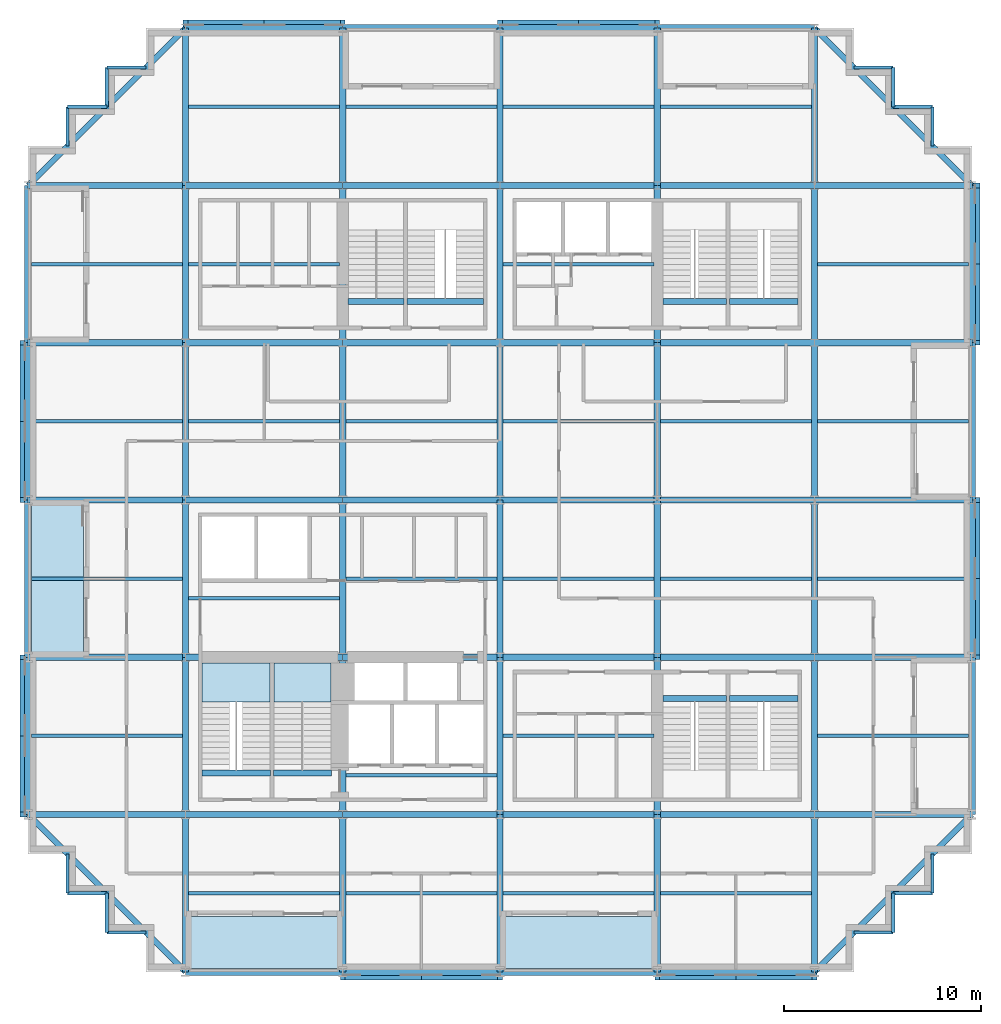
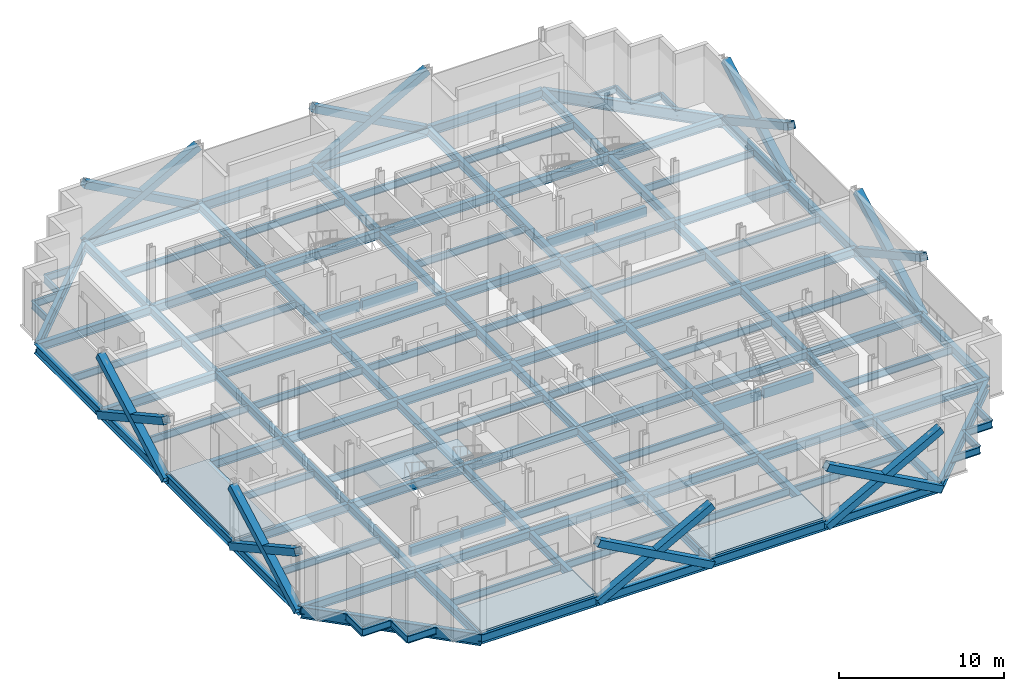
# One storey, part 3 of 12: 132 beams, 16 members, 5 slabs, 2 elements without a shape of their own.
"""IFC4 building model written with IfcOpenShell, lengths in metres."""

from ifc_helpers import new_model, si_unit, direction, frame, origin, origin_2d, place, context, subcontext, project, spatial, polyline, rectangle, hollow_rectangle, i_section, outline, extrude, material, layer, layer_set, material_profile, profile_set, type_object, element, aggregate, save


model = new_model("IFC4")

# Units and contexts
model_context = context("Model", 3, precision=1e-05, world=origin(), true_north=direction((0.0, 1.0)))
body_context = subcontext(model_context, "Body", "Model", "MODEL_VIEW")
ifc_project = project(units=[si_unit("LENGTHUNIT", "METRE"), si_unit("AREAUNIT", "SQUARE_METRE"), si_unit("VOLUMEUNIT", "CUBIC_METRE"), si_unit("PLANEANGLEUNIT", "RADIAN"), si_unit("MASSUNIT", "GRAM", prefix="KILO")], contexts=[model_context])

# Site, building, storey
site_placement = place(None, origin())
site = spatial("IfcSite", under=ifc_project, at=site_placement, CompositionType="ELEMENT")
building_placement = place(site_placement, origin())
building = spatial("IfcBuilding", under=site, at=building_placement, Name="Immortelle Media Tower", CompositionType="ELEMENT")
storey_placement = place(building_placement, frame((0.0, 0.0, 52.39990234375)))
storey = spatial("IfcBuildingStorey", under=building, at=storey_placement, Name="L08", CompositionType="ELEMENT", Elevation=52.39990234375)

# Members
ifc_material_1 = material(Name="Steel ASTM A500 Gr C", Category="steel")
ifc_material_profile_1 = material_profile(ifc_material_1, hollow_rectangle(XDim=0.508056640625, YDim=0.508056640625, WallThickness=0.011962890625, at=origin_2d()), Name="HSS20x20x1/2 brace")
ifc_profile_set_1 = profile_set([ifc_material_profile_1], Name="Steel ASTM A500 Gr C")
member_type = type_object("IfcMemberType", Name="HSS20x20x1/2 brace", PredefinedType="BRACE", material=ifc_profile_set_1)
for number, where, z_axis, x_axis, name in (
    (1, (-0.1640625, 32.0, -0.497802734375), (0.0, -0.876220425204, 0.481910537812), (1.0, 0.0, 0.0), "Brace 1/D-E A"),
    (2, (-0.1640625, 32.0, 3.902099609375), (0.0, -0.876220425204, -0.481910537812), (1.0, 0.0, 0.0), "Brace 1/D-E B"),
    (3, (-0.1640625, 16.0, -0.497802734375), (0.0, -0.876220425204, 0.481910537812), (1.0, 0.0, 0.0), "Brace 1/B-C A"),
    (4, (-0.1640625, 16.0, 3.902099609375), (0.0, -0.876220425204, -0.481910537812), (1.0, 0.0, 0.0), "Brace 1/B-C B"),
    (5, (16.0, -0.1640625, -0.497802734375), (0.876220425204, 0.0, 0.481910537812), (0.0, 1.0, 0.0), "Brace A/3-4 A"),
    (6, (16.0, -0.1640625, 3.902099609375), (0.876220425204, 0.0, -0.481910537812), (0.0, 1.0, 0.0), "Brace A/3-4 B"),
    (7, (32.0, -0.1640625, -0.497802734375), (0.876220425204, 0.0, 0.481910537812), (0.0, 1.0, 0.0), "Brace A/5-6 A"),
    (8, (32.0, -0.1640625, 3.902099609375), (0.876220425204, 0.0, -0.481910537812), (0.0, 1.0, 0.0), "Brace A/5-6 B"),
    (9, (48.1640625, 16.0, -0.497802734375), (0.0, 0.876220425204, 0.481910537812), (-1.0, 0.0, 0.0), "Brace 7/C-D A"),
    (10, (48.1640625, 16.0, 3.902099609375), (0.0, 0.876220425204, -0.481910537812), (-1.0, 0.0, 0.0), "Brace 7/C-D B"),
    (11, (48.1640625, 32.0, -0.497802734375), (0.0, 0.876220425204, 0.481910537812), (-1.0, 0.0, 0.0), "Brace 7/E-F A"),
    (12, (48.1640625, 32.0, 3.902099609375), (0.0, 0.876220425204, -0.481910537812), (-1.0, 0.0, 0.0), "Brace 7/E-F B"),
    (13, (32.0, 48.1640625, -0.497802734375), (-0.876220425204, 0.0, 0.481910537812), (0.0, -1.0, 0.0), "Brace G/4-5 A"),
    (14, (32.0, 48.1640625, 3.902099609375), (-0.876220425204, 0.0, -0.481910537812), (0.0, -1.0, 0.0), "Brace G/4-5 B"),
    (15, (16.0, 48.1640625, -0.497802734375), (-0.876220425204, 0.0, 0.481910537812), (0.0, -1.0, 0.0), "Brace G/2-3 A"),
    (16, (16.0, 48.1640625, 3.902099609375), (-0.876220425204, 0.0, -0.481910537812), (0.0, -1.0, 0.0), "Brace G/2-3 B"),
):
    element("IfcMember", number, at=place(storey_placement, frame(where, z_axis=z_axis, x_axis=x_axis)), inside=storey, type_object=member_type, Name=name, PredefinedType="BRACE", context=body_context, shape_type="SweptSolid", body=[
        extrude(hollow_rectangle(XDim=0.508056640625, YDim=0.508056640625, WallThickness=0.011962890625, at=origin_2d()), origin(), (0.0, 0.0, 1.0), 9.130126953125),
    ])

# Beams
ifc_material_2 = material(Name="Concrete C50/60", Category="concrete")
ifc_material_profile_2 = material_profile(ifc_material_2, rectangle(XDim=0.300048828125, YDim=0.699951171875, at=origin_2d()), Name="RC 300x700")
ifc_profile_set_2 = profile_set([ifc_material_profile_2], Name="Concrete C50/60")
beam_type_1 = type_object("IfcBeamType", Name="Stair trimmer beam 300 x 700", PredefinedType="BEAM", material=ifc_profile_set_2)
beam_1_placement = place(storey_placement, frame((8.830078125, 10.10498046875, -0.5), z_axis=(1.0, 0.0, 0.0), x_axis=(0.0, 1.0, 0.0)))
element("IfcBeam", 17, at=beam_1_placement, inside=storey, type_object=beam_type_1, Name="Stair trimmer beam SW1", PredefinedType="BEAM", context=body_context, shape_type="SweptSolid", body=[
    extrude(rectangle(XDim=0.300048828125, YDim=0.699951171875, at=origin_2d()), origin(), (0.0, 0.0, 1.0), 3.489990234375),
])
beam_2_placement = place(storey_placement, frame((12.47998046875, 10.10498046875, -0.5), z_axis=(1.0, 0.0, 0.0), x_axis=(0.0, 1.0, 0.0)))
element("IfcBeam", 18, at=beam_2_placement, inside=storey, type_object=beam_type_1, Name="Stair trimmer beam SW2", PredefinedType="BEAM", context=body_context, shape_type="SweptSolid", body=[
    extrude(rectangle(XDim=0.300048828125, YDim=0.699951171875, at=origin_2d()), origin(), (0.0, 0.0, 1.0), 2.93994140625),
])
beam_3_placement = place(storey_placement, frame((32.280029296875, 13.89501953125, -0.5), z_axis=(1.0, 0.0, 0.0), x_axis=(0.0, 1.0, 0.0)))
element("IfcBeam", 19, at=beam_3_placement, inside=storey, type_object=beam_type_1, Name="Stair trimmer beam SE1", PredefinedType="BEAM", context=body_context, shape_type="SweptSolid", body=[
    extrude(rectangle(XDim=0.300048828125, YDim=0.699951171875, at=origin_2d()), origin(), (0.0, 0.0, 1.0), 3.239990234375),
])
beam_4_placement = place(storey_placement, frame((35.679931640625, 13.89501953125, -0.5), z_axis=(1.0, 0.0, 0.0), x_axis=(0.0, 1.0, 0.0)))
element("IfcBeam", 20, at=beam_4_placement, inside=storey, type_object=beam_type_1, Name="Stair trimmer beam SE2", PredefinedType="BEAM", context=body_context, shape_type="SweptSolid", body=[
    extrude(rectangle(XDim=0.300048828125, YDim=0.699951171875, at=origin_2d()), origin(), (0.0, 0.0, 1.0), 3.489990234375),
])
beam_5_placement = place(storey_placement, frame((16.280029296875, 34.10498046875, -0.5), z_axis=(1.0, 0.0, 0.0), x_axis=(0.0, 1.0, 0.0)))
element("IfcBeam", 21, at=beam_5_placement, inside=storey, type_object=beam_type_1, Name="Stair trimmer beam NW1", PredefinedType="BEAM", context=body_context, shape_type="SweptSolid", body=[
    extrude(rectangle(XDim=0.300048828125, YDim=0.699951171875, at=origin_2d()), origin(), (0.0, 0.0, 1.0), 2.840087890625),
])
beam_6_placement = place(storey_placement, frame((19.280029296875, 34.10498046875, -0.5), z_axis=(1.0, 0.0, 0.0), x_axis=(0.0, 1.0, 0.0)))
element("IfcBeam", 22, at=beam_6_placement, inside=storey, type_object=beam_type_1, Name="Stair trimmer beam NW2", PredefinedType="BEAM", context=body_context, shape_type="SweptSolid", body=[
    extrude(rectangle(XDim=0.300048828125, YDim=0.699951171875, at=origin_2d()), origin(), (0.0, 0.0, 1.0), 3.889892578125),
])
beam_7_placement = place(storey_placement, frame((32.280029296875, 34.10498046875, -0.5), z_axis=(1.0, 0.0, 0.0), x_axis=(0.0, 1.0, 0.0)))
element("IfcBeam", 23, at=beam_7_placement, inside=storey, type_object=beam_type_1, Name="Stair trimmer beam NE1", PredefinedType="BEAM", context=body_context, shape_type="SweptSolid", body=[
    extrude(rectangle(XDim=0.300048828125, YDim=0.699951171875, at=origin_2d()), origin(), (0.0, 0.0, 1.0), 3.239990234375),
])
beam_8_placement = place(storey_placement, frame((35.679931640625, 34.10498046875, -0.5), z_axis=(1.0, 0.0, 0.0), x_axis=(0.0, 1.0, 0.0)))
element("IfcBeam", 24, at=beam_8_placement, inside=storey, type_object=beam_type_1, Name="Stair trimmer beam NE2", PredefinedType="BEAM", context=body_context, shape_type="SweptSolid", body=[
    extrude(rectangle(XDim=0.300048828125, YDim=0.699951171875, at=origin_2d()), origin(), (0.0, 0.0, 1.0), 3.489990234375),
])
ifc_material_3 = material(Name="Steel ASTM A992 Gr 50", Category="steel")
ifc_material_profile_3 = material_profile(ifc_material_3, i_section(OverallWidth=0.1669921875, OverallDepth=0.535888671875, WebThickness=0.010009765625, FlangeThickness=0.01708984375, at=origin_2d()), Name="W21x57")
ifc_profile_set_3 = profile_set([ifc_material_profile_3], Name="Steel ASTM A992 Gr 50")
beam_type_2 = type_object("IfcBeamType", Name="W21x57 secondary beam", PredefinedType="JOIST", material=ifc_profile_set_3)
for number, where, z_axis, x_axis, name in (
    (25, (8.162109375, 4.0, -0.41796875), (1.0, 0.0, 0.0), (0.0, 1.0, 0.0), "Beam A-B/2-3"),
    (26, (16.162109375, 4.0, -0.41796875), (1.0, 0.0, 0.0), (0.0, 1.0, 0.0), "Beam A-B/3-4"),
    (27, (24.162109375, 4.0, -0.41796875), (1.0, 0.0, 0.0), (0.0, 1.0, 0.0), "Beam A-B/4-5"),
    (28, (32.162109375, 4.0, -0.41796875), (1.0, 0.0, 0.0), (0.0, 1.0, 0.0), "Beam A-B/5-6"),
):
    element("IfcBeam", number, at=place(storey_placement, frame(where, z_axis=z_axis, x_axis=x_axis)), inside=storey, type_object=beam_type_2, Name=name, PredefinedType="JOIST", context=body_context, shape_type="SweptSolid", body=[
        extrude(i_section(OverallWidth=0.1669921875, OverallDepth=0.535888671875, WebThickness=0.010009765625, FlangeThickness=0.01708984375, at=origin_2d()), origin(), (0.0, 0.0, 1.0), 7.67578125),
    ])
beam_9_placement = place(storey_placement, frame((0.177978515625, 12.0, -0.41796875), z_axis=(1.0, 0.0, 0.0), x_axis=(0.0, 1.0, 0.0)))
element("IfcBeam", 29, at=beam_9_placement, inside=storey, type_object=beam_type_2, Name="Beam B-C/1-2", PredefinedType="JOIST", context=body_context, shape_type="SweptSolid", body=[
    extrude(i_section(OverallWidth=0.1669921875, OverallDepth=0.535888671875, WebThickness=0.010009765625, FlangeThickness=0.01708984375, at=origin_2d()), origin(), (0.0, 0.0, 1.0), 7.659912109375),
])
for number, where, z_axis, x_axis, name in (
    (30, (16.162109375, 10.0, -0.41796875), (1.0, 0.0, 0.0), (0.0, 1.0, 0.0), "Beam B-C/3-4"),
    (31, (24.162109375, 12.0, -0.41796875), (1.0, 0.0, 0.0), (0.0, 1.0, 0.0), "Beam B-C/4-5"),
):
    element("IfcBeam", number, at=place(storey_placement, frame(where, z_axis=z_axis, x_axis=x_axis)), inside=storey, type_object=beam_type_2, Name=name, PredefinedType="JOIST", context=body_context, shape_type="SweptSolid", body=[
        extrude(i_section(OverallWidth=0.1669921875, OverallDepth=0.535888671875, WebThickness=0.010009765625, FlangeThickness=0.01708984375, at=origin_2d()), origin(), (0.0, 0.0, 1.0), 7.67578125),
    ])
for number, where, z_axis, x_axis, name in (
    (32, (40.162109375, 12.0, -0.41796875), (1.0, 0.0, 0.0), (0.0, 1.0, 0.0), "Beam B-C/6-7"),
    (33, (0.177978515625, 20.0, -0.41796875), (1.0, 0.0, 0.0), (0.0, 1.0, 0.0), "Beam C-D/1-2"),
):
    element("IfcBeam", number, at=place(storey_placement, frame(where, z_axis=z_axis, x_axis=x_axis)), inside=storey, type_object=beam_type_2, Name=name, PredefinedType="JOIST", context=body_context, shape_type="SweptSolid", body=[
        extrude(i_section(OverallWidth=0.1669921875, OverallDepth=0.535888671875, WebThickness=0.010009765625, FlangeThickness=0.01708984375, at=origin_2d()), origin(), (0.0, 0.0, 1.0), 7.659912109375),
    ])
for number, where, z_axis, x_axis, name in (
    (34, (8.162109375, 19.0, -0.41796875), (1.0, 0.0, 0.0), (0.0, 1.0, 0.0), "Beam C-D/2-3"),
    (35, (16.162109375, 20.0, -0.41796875), (1.0, 0.0, 0.0), (0.0, 1.0, 0.0), "Beam C-D/3-4"),
    (36, (24.162109375, 20.0, -0.41796875), (1.0, 0.0, 0.0), (0.0, 1.0, 0.0), "Beam C-D/4-5"),
    (37, (32.162109375, 20.0, -0.41796875), (1.0, 0.0, 0.0), (0.0, 1.0, 0.0), "Beam C-D/5-6"),
):
    element("IfcBeam", number, at=place(storey_placement, frame(where, z_axis=z_axis, x_axis=x_axis)), inside=storey, type_object=beam_type_2, Name=name, PredefinedType="JOIST", context=body_context, shape_type="SweptSolid", body=[
        extrude(i_section(OverallWidth=0.1669921875, OverallDepth=0.535888671875, WebThickness=0.010009765625, FlangeThickness=0.01708984375, at=origin_2d()), origin(), (0.0, 0.0, 1.0), 7.67578125),
    ])
for number, where, z_axis, x_axis, name in (
    (38, (40.162109375, 20.0, -0.41796875), (1.0, 0.0, 0.0), (0.0, 1.0, 0.0), "Beam C-D/6-7"),
    (39, (0.177978515625, 28.0, -0.41796875), (1.0, 0.0, 0.0), (0.0, 1.0, 0.0), "Beam D-E/1-2"),
):
    element("IfcBeam", number, at=place(storey_placement, frame(where, z_axis=z_axis, x_axis=x_axis)), inside=storey, type_object=beam_type_2, Name=name, PredefinedType="JOIST", context=body_context, shape_type="SweptSolid", body=[
        extrude(i_section(OverallWidth=0.1669921875, OverallDepth=0.535888671875, WebThickness=0.010009765625, FlangeThickness=0.01708984375, at=origin_2d()), origin(), (0.0, 0.0, 1.0), 7.659912109375),
    ])
for number, where, z_axis, x_axis, name in (
    (40, (8.162109375, 28.0, -0.41796875), (1.0, 0.0, 0.0), (0.0, 1.0, 0.0), "Beam D-E/2-3"),
    (41, (16.162109375, 28.0, -0.41796875), (1.0, 0.0, 0.0), (0.0, 1.0, 0.0), "Beam D-E/3-4"),
    (42, (24.162109375, 28.0, -0.41796875), (1.0, 0.0, 0.0), (0.0, 1.0, 0.0), "Beam D-E/4-5"),
    (43, (32.162109375, 28.0, -0.41796875), (1.0, 0.0, 0.0), (0.0, 1.0, 0.0), "Beam D-E/5-6"),
):
    element("IfcBeam", number, at=place(storey_placement, frame(where, z_axis=z_axis, x_axis=x_axis)), inside=storey, type_object=beam_type_2, Name=name, PredefinedType="JOIST", context=body_context, shape_type="SweptSolid", body=[
        extrude(i_section(OverallWidth=0.1669921875, OverallDepth=0.535888671875, WebThickness=0.010009765625, FlangeThickness=0.01708984375, at=origin_2d()), origin(), (0.0, 0.0, 1.0), 7.67578125),
    ])
for number, where, z_axis, x_axis, name in (
    (44, (40.162109375, 28.0, -0.41796875), (1.0, 0.0, 0.0), (0.0, 1.0, 0.0), "Beam D-E/6-7"),
    (45, (0.177978515625, 36.0, -0.41796875), (1.0, 0.0, 0.0), (0.0, 1.0, 0.0), "Beam E-F/1-2"),
):
    element("IfcBeam", number, at=place(storey_placement, frame(where, z_axis=z_axis, x_axis=x_axis)), inside=storey, type_object=beam_type_2, Name=name, PredefinedType="JOIST", context=body_context, shape_type="SweptSolid", body=[
        extrude(i_section(OverallWidth=0.1669921875, OverallDepth=0.535888671875, WebThickness=0.010009765625, FlangeThickness=0.01708984375, at=origin_2d()), origin(), (0.0, 0.0, 1.0), 7.659912109375),
    ])
for number, where, z_axis, x_axis, name in (
    (46, (8.162109375, 36.0, -0.41796875), (1.0, 0.0, 0.0), (0.0, 1.0, 0.0), "Beam E-F/2-3"),
    (47, (24.162109375, 36.0, -0.41796875), (1.0, 0.0, 0.0), (0.0, 1.0, 0.0), "Beam E-F/4-5"),
):
    element("IfcBeam", number, at=place(storey_placement, frame(where, z_axis=z_axis, x_axis=x_axis)), inside=storey, type_object=beam_type_2, Name=name, PredefinedType="JOIST", context=body_context, shape_type="SweptSolid", body=[
        extrude(i_section(OverallWidth=0.1669921875, OverallDepth=0.535888671875, WebThickness=0.010009765625, FlangeThickness=0.01708984375, at=origin_2d()), origin(), (0.0, 0.0, 1.0), 7.67578125),
    ])
beam_10_placement = place(storey_placement, frame((40.162109375, 36.0, -0.41796875), z_axis=(1.0, 0.0, 0.0), x_axis=(0.0, 1.0, 0.0)))
element("IfcBeam", 48, at=beam_10_placement, inside=storey, type_object=beam_type_2, Name="Beam E-F/6-7", PredefinedType="JOIST", context=body_context, shape_type="SweptSolid", body=[
    extrude(i_section(OverallWidth=0.1669921875, OverallDepth=0.535888671875, WebThickness=0.010009765625, FlangeThickness=0.01708984375, at=origin_2d()), origin(), (0.0, 0.0, 1.0), 7.659912109375),
])
for number, where, z_axis, x_axis, name in (
    (49, (8.162109375, 44.0, -0.41796875), (1.0, 0.0, 0.0), (0.0, 1.0, 0.0), "Beam F-G/2-3"),
    (50, (16.162109375, 44.0, -0.41796875), (1.0, 0.0, 0.0), (0.0, 1.0, 0.0), "Beam F-G/3-4"),
    (51, (24.162109375, 44.0, -0.41796875), (1.0, 0.0, 0.0), (0.0, 1.0, 0.0), "Beam F-G/4-5"),
    (52, (32.162109375, 44.0, -0.41796875), (1.0, 0.0, 0.0), (0.0, 1.0, 0.0), "Beam F-G/5-6"),
):
    element("IfcBeam", number, at=place(storey_placement, frame(where, z_axis=z_axis, x_axis=x_axis)), inside=storey, type_object=beam_type_2, Name=name, PredefinedType="JOIST", context=body_context, shape_type="SweptSolid", body=[
        extrude(i_section(OverallWidth=0.1669921875, OverallDepth=0.535888671875, WebThickness=0.010009765625, FlangeThickness=0.01708984375, at=origin_2d()), origin(), (0.0, 0.0, 1.0), 7.67578125),
    ])
ifc_material_profile_4 = material_profile(ifc_material_3, i_section(OverallWidth=0.1669921875, OverallDepth=0.535888671875, WebThickness=0.010009765625, FlangeThickness=0.01708984375, at=origin_2d()), Name="W21x57")
ifc_profile_set_4 = profile_set([ifc_material_profile_4], Name="Steel ASTM A992 Gr 50")
beam_type_3 = type_object("IfcBeamType", Name="W21x57 serration edge beam", PredefinedType="SPANDREL", material=ifc_profile_set_4)
for number, where, z_axis, x_axis, name in (
    (53, (6.0, 2.0, -0.41796875), (-1.0, 0.0, 0.0), (0.0, -1.0, 0.0), "Corner edge beam 1 at 1/A"),
    (54, (4.0, 2.0, -0.41796875), (0.0, 1.0, 0.0), (-1.0, 0.0, 0.0), "Corner edge beam 2 at 1/A"),
    (55, (4.0, 4.0, -0.41796875), (-1.0, 0.0, 0.0), (0.0, -1.0, 0.0), "Corner edge beam 3 at 1/A"),
    (56, (2.0, 4.0, -0.41796875), (0.0, 1.0, 0.0), (-1.0, 0.0, 0.0), "Corner edge beam 4 at 1/A"),
    (57, (2.0, 42.0, -0.41796875), (0.0, 1.0, 0.0), (-1.0, 0.0, 0.0), "Corner edge beam 1 at 1/G"),
    (58, (2.0, 44.0, -0.41796875), (1.0, 0.0, 0.0), (0.0, 1.0, 0.0), "Corner edge beam 2 at 1/G"),
    (59, (4.0, 44.0, -0.41796875), (0.0, 1.0, 0.0), (-1.0, 0.0, 0.0), "Corner edge beam 3 at 1/G"),
    (60, (4.0, 46.0, -0.41796875), (1.0, 0.0, 0.0), (0.0, 1.0, 0.0), "Corner edge beam 4 at 1/G"),
    (61, (46.0, 6.0, -0.41796875), (0.0, -1.0, 0.0), (1.0, 0.0, 0.0), "Corner edge beam 1 at 7/A"),
    (62, (46.0, 4.0, -0.41796875), (-1.0, 0.0, 0.0), (0.0, -1.0, 0.0), "Corner edge beam 2 at 7/A"),
    (63, (44.0, 4.0, -0.41796875), (0.0, -1.0, 0.0), (1.0, 0.0, 0.0), "Corner edge beam 3 at 7/A"),
    (64, (44.0, 2.0, -0.41796875), (-1.0, 0.0, 0.0), (0.0, -1.0, 0.0), "Corner edge beam 4 at 7/A"),
    (65, (42.0, 46.0, -0.41796875), (1.0, 0.0, 0.0), (0.0, 1.0, 0.0), "Corner edge beam 1 at 7/G"),
    (66, (44.0, 46.0, -0.41796875), (0.0, -1.0, 0.0), (1.0, 0.0, 0.0), "Corner edge beam 2 at 7/G"),
    (67, (44.0, 44.0, -0.41796875), (1.0, 0.0, 0.0), (0.0, 1.0, 0.0), "Corner edge beam 3 at 7/G"),
    (68, (46.0, 44.0, -0.41796875), (0.0, -1.0, 0.0), (1.0, 0.0, 0.0), "Corner edge beam 4 at 7/G"),
):
    element("IfcBeam", number, at=place(storey_placement, frame(where, z_axis=z_axis, x_axis=x_axis)), inside=storey, type_object=beam_type_3, Name=name, PredefinedType="SPANDREL", context=body_context, shape_type="SweptSolid", body=[
        extrude(i_section(OverallWidth=0.1669921875, OverallDepth=0.535888671875, WebThickness=0.010009765625, FlangeThickness=0.01708984375, at=origin_2d()), origin(), (0.0, 0.0, 1.0), 2.0),
    ])
ifc_material_profile_5 = material_profile(ifc_material_3, i_section(OverallWidth=0.323974609375, OverallDepth=0.612060546875, WebThickness=0.012939453125, FlangeThickness=0.01904296875, at=origin_2d()), Name="W24x104")
ifc_profile_set_5 = profile_set([ifc_material_profile_5], Name="Steel ASTM A992 Gr 50")
beam_type_4 = type_object("IfcBeamType", Name="W24x104 girder", PredefinedType="BEAM", material=ifc_profile_set_5)
for number, where, z_axis, x_axis, name in (
    (69, (0.0, 8.0, -0.455810546875), (1.0, 0.0, 0.0), (0.0, 1.0, 0.0), "Girder B/1-2"),
    (70, (0.0, 16.0, -0.455810546875), (1.0, 0.0, 0.0), (0.0, 1.0, 0.0), "Girder C/1-2"),
    (71, (0.0, 24.0, -0.455810546875), (1.0, 0.0, 0.0), (0.0, 1.0, 0.0), "Girder D/1-2"),
    (72, (0.0, 32.0, -0.455810546875), (1.0, 0.0, 0.0), (0.0, 1.0, 0.0), "Girder E/1-2"),
    (73, (0.0, 40.0, -0.455810546875), (1.0, 0.0, 0.0), (0.0, 1.0, 0.0), "Girder F/1-2"),
    (74, (8.0, 0.0, -0.455810546875), (0.0, 1.0, 0.0), (-1.0, 0.0, 0.0), "Girder 2/A-B"),
    (75, (8.0, 8.0, -0.455810546875), (1.0, 0.0, 0.0), (0.0, 1.0, 0.0), "Girder B/2-3"),
    (76, (8.0, 8.0, -0.455810546875), (0.0, 1.0, 0.0), (-1.0, 0.0, 0.0), "Girder 2/B-C"),
    (77, (8.0, 16.0, -0.455810546875), (1.0, 0.0, 0.0), (0.0, 1.0, 0.0), "Girder C/2-3"),
    (78, (8.0, 16.0, -0.455810546875), (0.0, 1.0, 0.0), (-1.0, 0.0, 0.0), "Girder 2/C-D"),
    (79, (8.0, 24.0, -0.455810546875), (1.0, 0.0, 0.0), (0.0, 1.0, 0.0), "Girder D/2-3"),
    (80, (8.0, 24.0, -0.455810546875), (0.0, 1.0, 0.0), (-1.0, 0.0, 0.0), "Girder 2/D-E"),
    (81, (8.0, 32.0, -0.455810546875), (1.0, 0.0, 0.0), (0.0, 1.0, 0.0), "Girder E/2-3"),
    (82, (8.0, 32.0, -0.455810546875), (0.0, 1.0, 0.0), (-1.0, 0.0, 0.0), "Girder 2/E-F"),
    (83, (8.0, 40.0, -0.455810546875), (1.0, 0.0, 0.0), (0.0, 1.0, 0.0), "Girder F/2-3"),
    (84, (8.0, 40.0, -0.455810546875), (0.0, 1.0, 0.0), (-1.0, 0.0, 0.0), "Girder 2/F-G"),
    (85, (16.0, 0.0, -0.455810546875), (0.0, 1.0, 0.0), (-1.0, 0.0, 0.0), "Girder 3/A-B"),
    (86, (16.0, 8.0, -0.455810546875), (1.0, 0.0, 0.0), (0.0, 1.0, 0.0), "Girder B/3-4"),
    (87, (16.0, 8.0, -0.455810546875), (0.0, 1.0, 0.0), (-1.0, 0.0, 0.0), "Girder 3/B-C"),
    (88, (16.0, 16.0, -0.455810546875), (1.0, 0.0, 0.0), (0.0, 1.0, 0.0), "Girder C/3-4"),
    (89, (16.0, 16.0, -0.455810546875), (0.0, 1.0, 0.0), (-1.0, 0.0, 0.0), "Girder 3/C-D"),
    (90, (16.0, 24.0, -0.455810546875), (1.0, 0.0, 0.0), (0.0, 1.0, 0.0), "Girder D/3-4"),
    (91, (16.0, 24.0, -0.455810546875), (0.0, 1.0, 0.0), (-1.0, 0.0, 0.0), "Girder 3/D-E"),
    (92, (16.0, 32.0, -0.455810546875), (1.0, 0.0, 0.0), (0.0, 1.0, 0.0), "Girder E/3-4"),
    (93, (16.0, 32.0, -0.455810546875), (0.0, 1.0, 0.0), (-1.0, 0.0, 0.0), "Girder 3/E-F"),
    (94, (16.0, 40.0, -0.455810546875), (1.0, 0.0, 0.0), (0.0, 1.0, 0.0), "Girder F/3-4"),
    (95, (16.0, 40.0, -0.455810546875), (0.0, 1.0, 0.0), (-1.0, 0.0, 0.0), "Girder 3/F-G"),
    (96, (24.0, 0.0, -0.455810546875), (0.0, 1.0, 0.0), (-1.0, 0.0, 0.0), "Girder 4/A-B"),
    (97, (24.0, 8.0, -0.455810546875), (1.0, 0.0, 0.0), (0.0, 1.0, 0.0), "Girder B/4-5"),
    (98, (24.0, 8.0, -0.455810546875), (0.0, 1.0, 0.0), (-1.0, 0.0, 0.0), "Girder 4/B-C"),
    (99, (24.0, 16.0, -0.455810546875), (1.0, 0.0, 0.0), (0.0, 1.0, 0.0), "Girder C/4-5"),
    (100, (24.0, 16.0, -0.455810546875), (0.0, 1.0, 0.0), (-1.0, 0.0, 0.0), "Girder 4/C-D"),
    (101, (24.0, 24.0, -0.455810546875), (1.0, 0.0, 0.0), (0.0, 1.0, 0.0), "Girder D/4-5"),
    (102, (24.0, 24.0, -0.455810546875), (0.0, 1.0, 0.0), (-1.0, 0.0, 0.0), "Girder 4/D-E"),
    (103, (24.0, 32.0, -0.455810546875), (1.0, 0.0, 0.0), (0.0, 1.0, 0.0), "Girder E/4-5"),
    (104, (24.0, 32.0, -0.455810546875), (0.0, 1.0, 0.0), (-1.0, 0.0, 0.0), "Girder 4/E-F"),
    (105, (24.0, 40.0, -0.455810546875), (1.0, 0.0, 0.0), (0.0, 1.0, 0.0), "Girder F/4-5"),
    (106, (24.0, 40.0, -0.455810546875), (0.0, 1.0, 0.0), (-1.0, 0.0, 0.0), "Girder 4/F-G"),
    (107, (32.0, 0.0, -0.455810546875), (0.0, 1.0, 0.0), (-1.0, 0.0, 0.0), "Girder 5/A-B"),
    (108, (32.0, 8.0, -0.455810546875), (1.0, 0.0, 0.0), (0.0, 1.0, 0.0), "Girder B/5-6"),
    (109, (32.0, 8.0, -0.455810546875), (0.0, 1.0, 0.0), (-1.0, 0.0, 0.0), "Girder 5/B-C"),
    (110, (32.0, 16.0, -0.455810546875), (1.0, 0.0, 0.0), (0.0, 1.0, 0.0), "Girder C/5-6"),
    (111, (32.0, 16.0, -0.455810546875), (0.0, 1.0, 0.0), (-1.0, 0.0, 0.0), "Girder 5/C-D"),
    (112, (32.0, 24.0, -0.455810546875), (1.0, 0.0, 0.0), (0.0, 1.0, 0.0), "Girder D/5-6"),
    (113, (32.0, 24.0, -0.455810546875), (0.0, 1.0, 0.0), (-1.0, 0.0, 0.0), "Girder 5/D-E"),
    (114, (32.0, 32.0, -0.455810546875), (1.0, 0.0, 0.0), (0.0, 1.0, 0.0), "Girder E/5-6"),
    (115, (32.0, 32.0, -0.455810546875), (0.0, 1.0, 0.0), (-1.0, 0.0, 0.0), "Girder 5/E-F"),
    (116, (32.0, 40.0, -0.455810546875), (1.0, 0.0, 0.0), (0.0, 1.0, 0.0), "Girder F/5-6"),
    (117, (32.0, 40.0, -0.455810546875), (0.0, 1.0, 0.0), (-1.0, 0.0, 0.0), "Girder 5/F-G"),
    (118, (40.0, 0.0, -0.455810546875), (0.0, 1.0, 0.0), (-1.0, 0.0, 0.0), "Girder 6/A-B"),
    (119, (40.0, 8.0, -0.455810546875), (1.0, 0.0, 0.0), (0.0, 1.0, 0.0), "Girder B/6-7"),
    (120, (40.0, 8.0, -0.455810546875), (0.0, 1.0, 0.0), (-1.0, 0.0, 0.0), "Girder 6/B-C"),
    (121, (40.0, 16.0, -0.455810546875), (1.0, 0.0, 0.0), (0.0, 1.0, 0.0), "Girder C/6-7"),
    (122, (40.0, 16.0, -0.455810546875), (0.0, 1.0, 0.0), (-1.0, 0.0, 0.0), "Girder 6/C-D"),
    (123, (40.0, 24.0, -0.455810546875), (1.0, 0.0, 0.0), (0.0, 1.0, 0.0), "Girder D/6-7"),
    (124, (40.0, 24.0, -0.455810546875), (0.0, 1.0, 0.0), (-1.0, 0.0, 0.0), "Girder 6/D-E"),
    (125, (40.0, 32.0, -0.455810546875), (1.0, 0.0, 0.0), (0.0, 1.0, 0.0), "Girder E/6-7"),
    (126, (40.0, 32.0, -0.455810546875), (0.0, 1.0, 0.0), (-1.0, 0.0, 0.0), "Girder 6/E-F"),
    (127, (40.0, 40.0, -0.455810546875), (1.0, 0.0, 0.0), (0.0, 1.0, 0.0), "Girder F/6-7"),
    (128, (40.0, 40.0, -0.455810546875), (0.0, 1.0, 0.0), (-1.0, 0.0, 0.0), "Girder 6/F-G"),
):
    element("IfcBeam", number, at=place(storey_placement, frame(where, z_axis=z_axis, x_axis=x_axis)), inside=storey, type_object=beam_type_4, Name=name, PredefinedType="BEAM", context=body_context, shape_type="SweptSolid", body=[
        extrude(i_section(OverallWidth=0.323974609375, OverallDepth=0.612060546875, WebThickness=0.012939453125, FlangeThickness=0.01904296875, at=origin_2d()), origin(), (0.0, 0.0, 1.0), 8.0),
    ])
ifc_material_profile_6 = material_profile(ifc_material_3, i_section(OverallWidth=0.35595703125, OverallDepth=0.696044921875, WebThickness=0.014892578125, FlangeThickness=0.02490234375, at=origin_2d()), Name="W27x146")
ifc_profile_set_6 = profile_set([ifc_material_profile_6], Name="Steel ASTM A992 Gr 50")
beam_type_5 = type_object("IfcBeamType", Name="W27x146 perimeter girder", PredefinedType="SPANDREL", material=ifc_profile_set_6)
for number, where, z_axis, x_axis, name in (
    (129, (0.0, 8.0, -0.497802734375), (0.0, 1.0, 0.0), (-1.0, 0.0, 0.0), "Girder 1/B-C"),
    (130, (0.0, 16.0, -0.497802734375), (0.0, 1.0, 0.0), (-1.0, 0.0, 0.0), "Girder 1/C-D"),
    (131, (0.0, 24.0, -0.497802734375), (0.0, 1.0, 0.0), (-1.0, 0.0, 0.0), "Girder 1/D-E"),
    (132, (0.0, 32.0, -0.497802734375), (0.0, 1.0, 0.0), (-1.0, 0.0, 0.0), "Girder 1/E-F"),
    (133, (8.0, 0.0, -0.497802734375), (1.0, 0.0, 0.0), (0.0, 1.0, 0.0), "Girder A/2-3"),
    (134, (8.0, 48.0, -0.497802734375), (1.0, 0.0, 0.0), (0.0, 1.0, 0.0), "Girder G/2-3"),
    (135, (16.0, 0.0, -0.497802734375), (1.0, 0.0, 0.0), (0.0, 1.0, 0.0), "Girder A/3-4"),
    (136, (16.0, 48.0, -0.497802734375), (1.0, 0.0, 0.0), (0.0, 1.0, 0.0), "Girder G/3-4"),
    (137, (24.0, 0.0, -0.497802734375), (1.0, 0.0, 0.0), (0.0, 1.0, 0.0), "Girder A/4-5"),
    (138, (24.0, 48.0, -0.497802734375), (1.0, 0.0, 0.0), (0.0, 1.0, 0.0), "Girder G/4-5"),
    (139, (32.0, 0.0, -0.497802734375), (1.0, 0.0, 0.0), (0.0, 1.0, 0.0), "Girder A/5-6"),
    (140, (32.0, 48.0, -0.497802734375), (1.0, 0.0, 0.0), (0.0, 1.0, 0.0), "Girder G/5-6"),
    (141, (48.0, 8.0, -0.497802734375), (0.0, 1.0, 0.0), (-1.0, 0.0, 0.0), "Girder 7/B-C"),
    (142, (48.0, 16.0, -0.497802734375), (0.0, 1.0, 0.0), (-1.0, 0.0, 0.0), "Girder 7/C-D"),
    (143, (48.0, 24.0, -0.497802734375), (0.0, 1.0, 0.0), (-1.0, 0.0, 0.0), "Girder 7/D-E"),
    (144, (48.0, 32.0, -0.497802734375), (0.0, 1.0, 0.0), (-1.0, 0.0, 0.0), "Girder 7/E-F"),
):
    element("IfcBeam", number, at=place(storey_placement, frame(where, z_axis=z_axis, x_axis=x_axis)), inside=storey, type_object=beam_type_5, Name=name, PredefinedType="SPANDREL", context=body_context, shape_type="SweptSolid", body=[
        extrude(i_section(OverallWidth=0.35595703125, OverallDepth=0.696044921875, WebThickness=0.014892578125, FlangeThickness=0.02490234375, at=origin_2d()), origin(), (0.0, 0.0, 1.0), 8.0),
    ])
ifc_material_profile_7 = material_profile(ifc_material_3, i_section(OverallWidth=0.2919921875, OverallDepth=0.85888671875, WebThickness=0.01708984375, FlangeThickness=0.031005859375, at=origin_2d()), Name="W33x169")
ifc_profile_set_7 = profile_set([ifc_material_profile_7], Name="Steel ASTM A992 Gr 50")
beam_type_6 = type_object("IfcBeamType", Name="W33x169 corner girder", PredefinedType="SPANDREL", material=ifc_profile_set_7)
for number, where, z_axis, x_axis, name in (
    (145, (8.0, 0.0, -0.579345703125), (-0.707106781187, 0.707106781187, 0.0), (-0.707106781187, -0.707106781187, 0.0), "Corner girder at 1/A"),
    (146, (0.0, 40.0, -0.579345703125), (0.707106781187, 0.707106781187, 0.0), (-0.707106781187, 0.707106781187, 0.0), "Corner girder at 1/G"),
    (147, (48.0, 8.0, -0.579345703125), (-0.707106781187, -0.707106781187, 0.0), (0.707106781187, -0.707106781187, 0.0), "Corner girder at 7/A"),
    (148, (40.0, 48.0, -0.579345703125), (0.707106781187, -0.707106781187, 0.0), (0.707106781187, 0.707106781187, 0.0), "Corner girder at 7/G"),
):
    element("IfcBeam", number, at=place(storey_placement, frame(where, z_axis=z_axis, x_axis=x_axis)), inside=storey, type_object=beam_type_6, Name=name, PredefinedType="SPANDREL", context=body_context, shape_type="SweptSolid", body=[
        extrude(i_section(OverallWidth=0.2919921875, OverallDepth=0.85888671875, WebThickness=0.01708984375, FlangeThickness=0.031005859375, at=origin_2d()), origin(), (0.0, 0.0, 1.0), 11.313720703125),
    ])

# Slabs
ifc_material_4 = material(Name="Concrete C50/60 composite deck", Category="concrete")
ifc_layer_1 = layer(ifc_material_4, 0.14990234375)
ifc_layer_set_1 = layer_set([ifc_layer_1], Name="Concrete C50/60 composite deck")
slab_type_1 = type_object("IfcSlabType", Name="Balcony slab 150", PredefinedType="FLOOR", material=ifc_layer_set_1)
slab_1_placement = place(storey_placement, frame((0.0, 0.0, -0.14990234375)))
element("IfcSlab", 149, at=slab_1_placement, inside=storey, type_object=slab_type_1, Name="Balcony slab L08 W2", PredefinedType="FLOOR", context=body_context, shape_type="SweptSolid", body=[
    extrude(outline(polyline([(2.800048828125, 16.0), (2.800048828125, 24.0), (0.0, 24.0), (0.0, 16.0), (2.800048828125, 16.0)])), origin(), (0.0, 0.0, 1.0), 0.14990234375),
])
slab_2_placement = place(storey_placement, frame((0.0, 0.0, -0.14990234375)))
element("IfcSlab", 150, at=slab_2_placement, inside=storey, type_object=slab_type_1, Name="Balcony slab L08 S0", PredefinedType="FLOOR", context=body_context, shape_type="SweptSolid", body=[
    extrude(outline(polyline([(16.0, 0.0), (16.0, 2.800048828125), (8.0, 2.800048828125), (8.0, 0.0), (16.0, 0.0)])), origin(), (0.0, 0.0, 1.0), 0.14990234375),
])
slab_3_placement = place(storey_placement, frame((0.0, 0.0, -0.14990234375)))
element("IfcSlab", 151, at=slab_3_placement, inside=storey, type_object=slab_type_1, Name="Balcony slab L08 S2", PredefinedType="FLOOR", context=body_context, shape_type="SweptSolid", body=[
    extrude(outline(polyline([(32.0, 0.0), (32.0, 2.800048828125), (24.0, 2.800048828125), (24.0, 0.0), (32.0, 0.0)])), origin(), (0.0, 0.0, 1.0), 0.14990234375),
])

# Stair, slab
stair_type = type_object("IfcStairType", Name="Stair with flights", PredefinedType="DOUBLE_RETURN_STAIR", material=ifc_material_3)
stair_1_placement = place(storey_placement, origin())
stair_1 = element("IfcStair", 152, at=stair_1_placement, inside=storey, type_object=stair_type, Name="Exit stair SW1", PredefinedType="DOUBLE_RETURN_STAIR")
ifc_material_5 = material(Name="Steel ASTM A572 Gr 50", Category="steel")
ifc_layer_2 = layer(ifc_material_5, 0.199951171875)
ifc_layer_set_2 = layer_set([ifc_layer_2], Name="Steel ASTM A572 Gr 50")
slab_type_2 = type_object("IfcSlabType", Name="Stair landing 200", PredefinedType="LANDING", material=ifc_layer_set_2)
slab_4_placement = place(storey_placement, frame((0.0, 0.0, 1.912109375)))
slab_4 = element("IfcSlab", 153, at=slab_4_placement, type_object=slab_type_2, Name="ST SW1 landing 1", PredefinedType="LANDING", context=body_context, shape_type="SweptSolid", body=[
    extrude(outline(polyline([(8.85009765625, 13.72998046875), (12.300048828125, 13.72998046875), (12.300048828125, 15.699951171875), (8.85009765625, 15.699951171875), (8.85009765625, 13.72998046875)])), origin(), (0.0, 0.0, 1.0), 0.199951171875),
])
aggregate(stair_1, [slab_4])

stair_2_placement = place(storey_placement, origin())
stair_2 = element("IfcStair", 154, at=stair_2_placement, inside=storey, type_object=stair_type, Name="Exit stair SW2", PredefinedType="DOUBLE_RETURN_STAIR")
slab_5_placement = place(storey_placement, frame((0.0, 0.0, 1.912109375)))
slab_5 = element("IfcSlab", 155, at=slab_5_placement, type_object=slab_type_2, Name="ST SW2 landing 1", PredefinedType="LANDING", context=body_context, shape_type="SweptSolid", body=[
    extrude(outline(polyline([(12.5, 13.72998046875), (15.39990234375, 13.72998046875), (15.39990234375, 15.699951171875), (12.5, 15.699951171875), (12.5, 13.72998046875)])), origin(), (0.0, 0.0, 1.0), 0.199951171875),
])
aggregate(stair_2, [slab_5])

save(model, "model.ifc")
